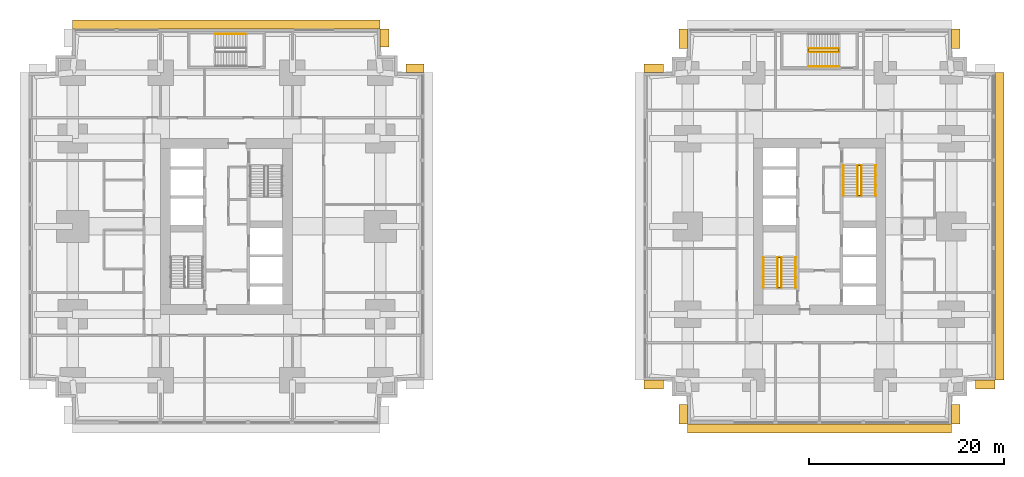
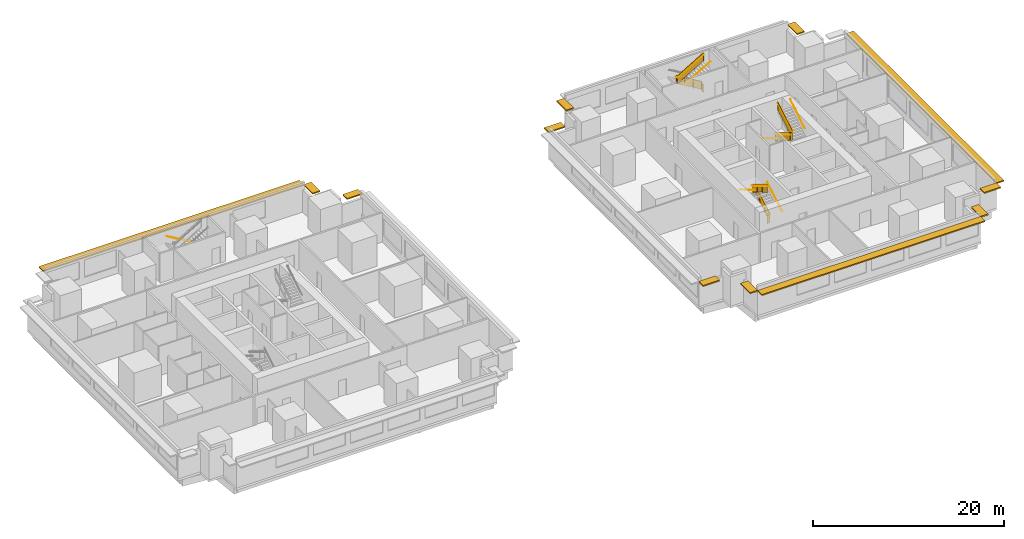
# One storey, part 10 of 11: 15 railings, 12 shading devices.
"""IFC4 building model written with IfcOpenShell, lengths in metres."""

from ifc_helpers import new_model, si_unit, direction, frame, origin, origin_2d, place, context, subcontext, project, spatial, polyline, rectangle, circle, outline, extrude, material, layer, layer_set, type_object, element, save


model = new_model("IFC4")

# Units and contexts
model_context = context("Model", 3, precision=1e-05, world=origin(), true_north=direction((0.0, 1.0)))
body_context = subcontext(model_context, "Body", "Model", "MODEL_VIEW")
ifc_project = project(units=[si_unit("LENGTHUNIT", "METRE"), si_unit("AREAUNIT", "SQUARE_METRE"), si_unit("VOLUMEUNIT", "CUBIC_METRE"), si_unit("PLANEANGLEUNIT", "RADIAN"), si_unit("MASSUNIT", "GRAM", prefix="KILO")], contexts=[model_context])

# Site, building, storey
site_placement = place(None, origin())
site = spatial("IfcSite", under=ifc_project, at=site_placement, CompositionType="ELEMENT")
building_placement = place(site_placement, origin())
building = spatial("IfcBuilding", under=site, at=building_placement, Name="Namib Vertical Campus", CompositionType="ELEMENT")
storey_placement = place(building_placement, frame((0.0, 0.0, 41.0)))
storey = spatial("IfcBuildingStorey", under=building, at=storey_placement, Name="L09", CompositionType="ELEMENT", Elevation=41.0)

# Railings
ifc_material_1 = material(Name="Steel handrail", Category="steel")
railing_type_1 = type_object("IfcRailingType", Name="Handrail 900", PredefinedType="HANDRAIL", material=ifc_material_1)
railing_1_placement = place(storey_placement, frame((78.550048828125, 14.0, 0.166748046875)))
element("IfcRailing", 1, at=railing_1_placement, inside=storey, type_object=railing_type_1, Name="Handrail HR1 B-S1 L09 1", PredefinedType="HANDRAIL", context=body_context, shape_type="SweptSolid", body=[
    extrude(circle(Radius=0.02392578125, at=origin_2d()), frame((0.0, 0.0, 0.8759765625), z_axis=(0.0, 0.859308565015, 0.511457515432), x_axis=(-1.0, 0.0, 0.0)), (0.0, 0.0, 1.0), 3.58447265625),
    extrude(circle(Radius=0.008056640625, at=origin_2d()), frame((0.0, 0.0, 0.8759765625), z_axis=(1.0, 0.0, 0.0), x_axis=(0.0, 0.0, 1.0)), (0.0, 0.0, 1.0), 0.050048828125),
    extrude(circle(Radius=0.008056640625, at=origin_2d()), frame((0.0, 1.026611328125, 1.48681640625), z_axis=(1.0, 0.0, 0.0), x_axis=(0.0, 0.0, 1.0)), (0.0, 0.0, 1.0), 0.050048828125),
    extrude(circle(Radius=0.008056640625, at=origin_2d()), frame((0.0, 2.053466796875, 2.09814453125), z_axis=(1.0, 0.0, 0.0), x_axis=(0.0, 0.0, 1.0)), (0.0, 0.0, 1.0), 0.050048828125),
    extrude(circle(Radius=0.008056640625, at=origin_2d()), frame((0.0, 3.080078125, 2.708984375), z_axis=(1.0, 0.0, 0.0), x_axis=(0.0, 0.0, 1.0)), (0.0, 0.0, 1.0), 0.050048828125),
])
railing_2_placement = place(storey_placement, frame((75.25, 17.080078125, 2.166748046875)))
element("IfcRailing", 2, at=railing_2_placement, inside=storey, type_object=railing_type_1, Name="Handrail HR1 B-S1 L09 2", PredefinedType="HANDRAIL", context=body_context, shape_type="SweptSolid", body=[
    extrude(circle(Radius=0.02392578125, at=origin_2d()), frame((0.0, 0.0, 0.8759765625), z_axis=(0.0, -0.859308565015, 0.511457515432), x_axis=(1.0, 0.0, 0.0)), (0.0, 0.0, 1.0), 3.58447265625),
    extrude(circle(Radius=0.008056640625, at=origin_2d()), frame((0.0, 0.0, 0.8759765625), z_axis=(-1.0, 0.0, 0.0), x_axis=(0.0, 0.0, 1.0)), (0.0, 0.0, 1.0), 0.050048828125),
    extrude(circle(Radius=0.008056640625, at=origin_2d()), frame((0.0, -1.026611328125, 1.48681640625), z_axis=(-1.0, 0.0, 0.0), x_axis=(0.0, 0.0, 1.0)), (0.0, 0.0, 1.0), 0.050048828125),
    extrude(circle(Radius=0.008056640625, at=origin_2d()), frame((0.0, -2.053466796875, 2.09814453125), z_axis=(-1.0, 0.0, 0.0), x_axis=(0.0, 0.0, 1.0)), (0.0, 0.0, 1.0), 0.050048828125),
    extrude(circle(Radius=0.008056640625, at=origin_2d()), frame((0.0, -3.080078125, 2.708984375), z_axis=(-1.0, 0.0, 0.0), x_axis=(0.0, 0.0, 1.0)), (0.0, 0.0, 1.0), 0.050048828125),
])
railing_3_placement = place(storey_placement, frame((77.10009765625, 14.0, 0.166748046875)))
element("IfcRailing", 3, at=railing_3_placement, inside=storey, type_object=railing_type_1, Name="Handrail HR1 B-S1 L09 1 at the well", PredefinedType="HANDRAIL", context=body_context, shape_type="SweptSolid", body=[
    extrude(circle(Radius=0.02392578125, at=origin_2d()), frame((0.0, 0.0, 0.8759765625), z_axis=(0.0, 0.859308565015, 0.511457515432), x_axis=(-1.0, 0.0, 0.0)), (0.0, 0.0, 1.0), 3.58447265625),
    extrude(circle(Radius=0.008056640625, at=origin_2d()), frame((0.0, 0.0, 0.8759765625), z_axis=(-1.0, 0.0, 0.0), x_axis=(0.0, 0.0, 1.0)), (0.0, 0.0, 1.0), 0.0400390625),
    extrude(circle(Radius=0.008056640625, at=origin_2d()), frame((0.0, 1.026611328125, 1.48681640625), z_axis=(-1.0, 0.0, 0.0), x_axis=(0.0, 0.0, 1.0)), (0.0, 0.0, 1.0), 0.0400390625),
    extrude(circle(Radius=0.008056640625, at=origin_2d()), frame((0.0, 2.053466796875, 2.09814453125), z_axis=(-1.0, 0.0, 0.0), x_axis=(0.0, 0.0, 1.0)), (0.0, 0.0, 1.0), 0.0400390625),
    extrude(circle(Radius=0.008056640625, at=origin_2d()), frame((0.0, 3.080078125, 2.708984375), z_axis=(-1.0, 0.0, 0.0), x_axis=(0.0, 0.0, 1.0)), (0.0, 0.0, 1.0), 0.0400390625),
])
railing_4_placement = place(storey_placement, frame((76.699951171875, 17.080078125, 2.166748046875)))
element("IfcRailing", 4, at=railing_4_placement, inside=storey, type_object=railing_type_1, Name="Handrail HR1 B-S1 L09 2 at the well", PredefinedType="HANDRAIL", context=body_context, shape_type="SweptSolid", body=[
    extrude(circle(Radius=0.02392578125, at=origin_2d()), frame((0.0, 0.0, 0.8759765625), z_axis=(0.0, -0.859308565015, 0.511457515432), x_axis=(1.0, 0.0, 0.0)), (0.0, 0.0, 1.0), 3.58447265625),
    extrude(circle(Radius=0.008056640625, at=origin_2d()), frame((0.0, 0.0, 0.8759765625), z_axis=(1.0, 0.0, 0.0), x_axis=(0.0, 0.0, 1.0)), (0.0, 0.0, 1.0), 0.0400390625),
    extrude(circle(Radius=0.008056640625, at=origin_2d()), frame((0.0, -1.026611328125, 1.48681640625), z_axis=(1.0, 0.0, 0.0), x_axis=(0.0, 0.0, 1.0)), (0.0, 0.0, 1.0), 0.0400390625),
    extrude(circle(Radius=0.008056640625, at=origin_2d()), frame((0.0, -2.053466796875, 2.09814453125), z_axis=(1.0, 0.0, 0.0), x_axis=(0.0, 0.0, 1.0)), (0.0, 0.0, 1.0), 0.0400390625),
    extrude(circle(Radius=0.008056640625, at=origin_2d()), frame((0.0, -3.080078125, 2.708984375), z_axis=(1.0, 0.0, 0.0), x_axis=(0.0, 0.0, 1.0)), (0.0, 0.0, 1.0), 0.0400390625),
])
railing_5_placement = place(storey_placement, frame((83.449951171875, 26.5, 0.166748046875)))
element("IfcRailing", 5, at=railing_5_placement, inside=storey, type_object=railing_type_1, Name="Handrail HR1 B-S2 L09 1", PredefinedType="HANDRAIL", context=body_context, shape_type="SweptSolid", body=[
    extrude(circle(Radius=0.02392578125, at=origin_2d()), frame((0.0, 0.0, 0.8759765625), z_axis=(0.0, -0.859308565015, 0.511457515432), x_axis=(1.0, 0.0, 0.0)), (0.0, 0.0, 1.0), 3.58447265625),
    extrude(circle(Radius=0.008056640625, at=origin_2d()), frame((0.0, 0.0, 0.8759765625), z_axis=(-1.0, 0.0, 0.0), x_axis=(0.0, 0.0, 1.0)), (0.0, 0.0, 1.0), 0.050048828125),
    extrude(circle(Radius=0.008056640625, at=origin_2d()), frame((0.0, -1.026611328125, 1.48681640625), z_axis=(-1.0, 0.0, 0.0), x_axis=(0.0, 0.0, 1.0)), (0.0, 0.0, 1.0), 0.050048828125),
    extrude(circle(Radius=0.008056640625, at=origin_2d()), frame((0.0, -2.053466796875, 2.09814453125), z_axis=(-1.0, 0.0, 0.0), x_axis=(0.0, 0.0, 1.0)), (0.0, 0.0, 1.0), 0.050048828125),
    extrude(circle(Radius=0.008056640625, at=origin_2d()), frame((0.0, -3.080078125, 2.708984375), z_axis=(-1.0, 0.0, 0.0), x_axis=(0.0, 0.0, 1.0)), (0.0, 0.0, 1.0), 0.050048828125),
])
railing_6_placement = place(storey_placement, frame((86.75, 23.419921875, 2.166748046875)))
element("IfcRailing", 6, at=railing_6_placement, inside=storey, type_object=railing_type_1, Name="Handrail HR1 B-S2 L09 2", PredefinedType="HANDRAIL", context=body_context, shape_type="SweptSolid", body=[
    extrude(circle(Radius=0.02392578125, at=origin_2d()), frame((0.0, 0.0, 0.8759765625), z_axis=(0.0, 0.859308565015, 0.511457515432), x_axis=(-1.0, 0.0, 0.0)), (0.0, 0.0, 1.0), 3.58447265625),
    extrude(circle(Radius=0.008056640625, at=origin_2d()), frame((0.0, 0.0, 0.8759765625), z_axis=(1.0, 0.0, 0.0), x_axis=(0.0, 0.0, 1.0)), (0.0, 0.0, 1.0), 0.050048828125),
    extrude(circle(Radius=0.008056640625, at=origin_2d()), frame((0.0, 1.026611328125, 1.48681640625), z_axis=(1.0, 0.0, 0.0), x_axis=(0.0, 0.0, 1.0)), (0.0, 0.0, 1.0), 0.050048828125),
    extrude(circle(Radius=0.008056640625, at=origin_2d()), frame((0.0, 2.053466796875, 2.09814453125), z_axis=(1.0, 0.0, 0.0), x_axis=(0.0, 0.0, 1.0)), (0.0, 0.0, 1.0), 0.050048828125),
    extrude(circle(Radius=0.008056640625, at=origin_2d()), frame((0.0, 3.080078125, 2.708984375), z_axis=(1.0, 0.0, 0.0), x_axis=(0.0, 0.0, 1.0)), (0.0, 0.0, 1.0), 0.050048828125),
])
railing_7_placement = place(storey_placement, frame((84.89990234375, 26.5, 0.166748046875)))
element("IfcRailing", 7, at=railing_7_placement, inside=storey, type_object=railing_type_1, Name="Handrail HR1 B-S2 L09 1 at the well", PredefinedType="HANDRAIL", context=body_context, shape_type="SweptSolid", body=[
    extrude(circle(Radius=0.02392578125, at=origin_2d()), frame((0.0, 0.0, 0.8759765625), z_axis=(0.0, -0.859308565015, 0.511457515432), x_axis=(1.0, 0.0, 0.0)), (0.0, 0.0, 1.0), 3.58447265625),
    extrude(circle(Radius=0.008056640625, at=origin_2d()), frame((0.0, 0.0, 0.8759765625), z_axis=(1.0, 0.0, 0.0), x_axis=(0.0, 0.0, 1.0)), (0.0, 0.0, 1.0), 0.0400390625),
    extrude(circle(Radius=0.008056640625, at=origin_2d()), frame((0.0, -1.026611328125, 1.48681640625), z_axis=(1.0, 0.0, 0.0), x_axis=(0.0, 0.0, 1.0)), (0.0, 0.0, 1.0), 0.0400390625),
    extrude(circle(Radius=0.008056640625, at=origin_2d()), frame((0.0, -2.053466796875, 2.09814453125), z_axis=(1.0, 0.0, 0.0), x_axis=(0.0, 0.0, 1.0)), (0.0, 0.0, 1.0), 0.0400390625),
    extrude(circle(Radius=0.008056640625, at=origin_2d()), frame((0.0, -3.080078125, 2.708984375), z_axis=(1.0, 0.0, 0.0), x_axis=(0.0, 0.0, 1.0)), (0.0, 0.0, 1.0), 0.0400390625),
])
railing_8_placement = place(storey_placement, frame((85.300048828125, 23.419921875, 2.166748046875)))
element("IfcRailing", 8, at=railing_8_placement, inside=storey, type_object=railing_type_1, Name="Handrail HR1 B-S2 L09 2 at the well", PredefinedType="HANDRAIL", context=body_context, shape_type="SweptSolid", body=[
    extrude(circle(Radius=0.02392578125, at=origin_2d()), frame((0.0, 0.0, 0.8759765625), z_axis=(0.0, 0.859308565015, 0.511457515432), x_axis=(-1.0, 0.0, 0.0)), (0.0, 0.0, 1.0), 3.58447265625),
    extrude(circle(Radius=0.008056640625, at=origin_2d()), frame((0.0, 0.0, 0.8759765625), z_axis=(-1.0, 0.0, 0.0), x_axis=(0.0, 0.0, 1.0)), (0.0, 0.0, 1.0), 0.0400390625),
    extrude(circle(Radius=0.008056640625, at=origin_2d()), frame((0.0, 1.026611328125, 1.48681640625), z_axis=(-1.0, 0.0, 0.0), x_axis=(0.0, 0.0, 1.0)), (0.0, 0.0, 1.0), 0.0400390625),
    extrude(circle(Radius=0.008056640625, at=origin_2d()), frame((0.0, 2.053466796875, 2.09814453125), z_axis=(-1.0, 0.0, 0.0), x_axis=(0.0, 0.0, 1.0)), (0.0, 0.0, 1.0), 0.0400390625),
    extrude(circle(Radius=0.008056640625, at=origin_2d()), frame((0.0, 3.080078125, 2.708984375), z_axis=(-1.0, 0.0, 0.0), x_axis=(0.0, 0.0, 1.0)), (0.0, 0.0, 1.0), 0.0400390625),
])
railing_9_placement = place(storey_placement, frame((22.199951171875, 39.949951171875, 0.166748046875)))
element("IfcRailing", 9, at=railing_9_placement, inside=storey, type_object=railing_type_1, Name="Handrail HR1 A-S3 L09 1", PredefinedType="HANDRAIL", context=body_context, shape_type="SweptSolid", body=[
    extrude(circle(Radius=0.02392578125, at=origin_2d()), frame((0.0, 0.0, 0.8759765625), z_axis=(-0.859290745958, 0.0, 0.51148745235), x_axis=(0.0, -1.0, 0.0)), (0.0, 0.0, 1.0), 3.584228515625),
    extrude(circle(Radius=0.008056640625, at=origin_2d()), frame((0.0, 0.0, 0.8759765625), z_axis=(0.0, 1.0, 0.0), x_axis=(0.0, 0.0, 1.0)), (0.0, 0.0, 1.0), 0.050048828125),
    extrude(circle(Radius=0.008056640625, at=origin_2d()), frame((-1.026611328125, 0.0, 1.48681640625), z_axis=(0.0, 1.0, 0.0), x_axis=(0.0, 0.0, 1.0)), (0.0, 0.0, 1.0), 0.050048828125),
    extrude(circle(Radius=0.008056640625, at=origin_2d()), frame((-2.05322265625, 0.0, 2.09814453125), z_axis=(0.0, 1.0, 0.0), x_axis=(0.0, 0.0, 1.0)), (0.0, 0.0, 1.0), 0.050048828125),
    extrude(circle(Radius=0.008056640625, at=origin_2d()), frame((-3.079833984375, 0.0, 2.708984375), z_axis=(0.0, 1.0, 0.0), x_axis=(0.0, 0.0, 1.0)), (0.0, 0.0, 1.0), 0.050048828125),
])
railing_10_placement = place(storey_placement, frame((79.8701171875, 36.64990234375, 2.166748046875)))
element("IfcRailing", 10, at=railing_10_placement, inside=storey, type_object=railing_type_1, Name="Handrail HR1 B-S3 L09 2", PredefinedType="HANDRAIL", context=body_context, shape_type="SweptSolid", body=[
    extrude(circle(Radius=0.02392578125, at=origin_2d()), frame((0.0, 0.0, 0.8759765625), z_axis=(0.859290745958, 0.0, 0.51148745235), x_axis=(0.0, 1.0, 0.0)), (0.0, 0.0, 1.0), 3.584228515625),
    extrude(circle(Radius=0.008056640625, at=origin_2d()), frame((0.0, 0.0, 0.8759765625), z_axis=(0.0, -1.0, 0.0), x_axis=(0.0, 0.0, 1.0)), (0.0, 0.0, 1.0), 0.050048828125),
    extrude(circle(Radius=0.008056640625, at=origin_2d()), frame((1.026611328125, 0.0, 1.48681640625), z_axis=(0.0, -1.0, 0.0), x_axis=(0.0, 0.0, 1.0)), (0.0, 0.0, 1.0), 0.050048828125),
    extrude(circle(Radius=0.008056640625, at=origin_2d()), frame((2.05322265625, 0.0, 2.09814453125), z_axis=(0.0, -1.0, 0.0), x_axis=(0.0, 0.0, 1.0)), (0.0, 0.0, 1.0), 0.050048828125),
    extrude(circle(Radius=0.008056640625, at=origin_2d()), frame((3.079833984375, 0.0, 2.708984375), z_axis=(0.0, -1.0, 0.0), x_axis=(0.0, 0.0, 1.0)), (0.0, 0.0, 1.0), 0.050048828125),
])
railing_11_placement = place(storey_placement, frame((82.949951171875, 38.5, 0.166748046875)))
element("IfcRailing", 11, at=railing_11_placement, inside=storey, type_object=railing_type_1, Name="Handrail HR1 B-S3 L09 1 at the well", PredefinedType="HANDRAIL", context=body_context, shape_type="SweptSolid", body=[
    extrude(circle(Radius=0.02392578125, at=origin_2d()), frame((0.0, 0.0, 0.8759765625), z_axis=(-0.859290745958, 0.0, 0.51148745235), x_axis=(0.0, -1.0, 0.0)), (0.0, 0.0, 1.0), 3.584228515625),
    extrude(circle(Radius=0.008056640625, at=origin_2d()), frame((0.0, 0.0, 0.8759765625), z_axis=(0.0, -1.0, 0.0), x_axis=(0.0, 0.0, 1.0)), (0.0, 0.0, 1.0), 0.0400390625),
    extrude(circle(Radius=0.008056640625, at=origin_2d()), frame((-1.026611328125, 0.0, 1.48681640625), z_axis=(0.0, -1.0, 0.0), x_axis=(0.0, 0.0, 1.0)), (0.0, 0.0, 1.0), 0.0400390625),
    extrude(circle(Radius=0.008056640625, at=origin_2d()), frame((-2.05322265625, 0.0, 2.09814453125), z_axis=(0.0, -1.0, 0.0), x_axis=(0.0, 0.0, 1.0)), (0.0, 0.0, 1.0), 0.0400390625),
    extrude(circle(Radius=0.008056640625, at=origin_2d()), frame((-3.079833984375, 0.0, 2.708984375), z_axis=(0.0, -1.0, 0.0), x_axis=(0.0, 0.0, 1.0)), (0.0, 0.0, 1.0), 0.0400390625),
])
railing_12_placement = place(storey_placement, frame((79.8701171875, 38.10009765625, 2.166748046875)))
element("IfcRailing", 12, at=railing_12_placement, inside=storey, type_object=railing_type_1, Name="Handrail HR1 B-S3 L09 2 at the well", PredefinedType="HANDRAIL", context=body_context, shape_type="SweptSolid", body=[
    extrude(circle(Radius=0.02392578125, at=origin_2d()), frame((0.0, 0.0, 0.8759765625), z_axis=(0.859290745958, 0.0, 0.51148745235), x_axis=(0.0, 1.0, 0.0)), (0.0, 0.0, 1.0), 3.584228515625),
    extrude(circle(Radius=0.008056640625, at=origin_2d()), frame((0.0, 0.0, 0.8759765625), z_axis=(0.0, 1.0, 0.0), x_axis=(0.0, 0.0, 1.0)), (0.0, 0.0, 1.0), 0.0400390625),
    extrude(circle(Radius=0.008056640625, at=origin_2d()), frame((1.026611328125, 0.0, 1.48681640625), z_axis=(0.0, 1.0, 0.0), x_axis=(0.0, 0.0, 1.0)), (0.0, 0.0, 1.0), 0.0400390625),
    extrude(circle(Radius=0.008056640625, at=origin_2d()), frame((2.05322265625, 0.0, 2.09814453125), z_axis=(0.0, 1.0, 0.0), x_axis=(0.0, 0.0, 1.0)), (0.0, 0.0, 1.0), 0.0400390625),
    extrude(circle(Radius=0.008056640625, at=origin_2d()), frame((3.079833984375, 0.0, 2.708984375), z_axis=(0.0, 1.0, 0.0), x_axis=(0.0, 0.0, 1.0)), (0.0, 0.0, 1.0), 0.0400390625),
])
ifc_material_2 = material(Name="Steel balustrade", Category="steel")
railing_type_2 = type_object("IfcRailingType", Name="Stair guard 1100", PredefinedType="GUARDRAIL", material=ifc_material_2)
railing_13_placement = place(storey_placement, frame((76.75, 14.0, 0.0)))
element("IfcRailing", 13, at=railing_13_placement, inside=storey, type_object=railing_type_2, Name="Stair guard GR1 B-S1 L09", PredefinedType="GUARDRAIL", context=body_context, shape_type="SweptSolid", body=[
    extrude(circle(Radius=0.02392578125, at=origin_2d()), frame((0.0, 0.0, 1.076171875), z_axis=(1.0, 0.0, 0.0), x_axis=(0.0, 1.0, 0.0)), (0.0, 0.0, 1.0), 0.300048828125),
    extrude(outline(polyline([(0.02099609375, 0.050048828125), (0.279052734375, 0.050048828125), (0.279052734375, 1.052001953125), (0.02099609375, 1.052001953125), (0.02099609375, 0.050048828125)])), frame((0.0, 0.010009765625, 0.0), z_axis=(0.0, -1.0, 0.0), x_axis=(1.0, 0.0, 0.0)), (0.0, 0.0, 1.0), 0.02001953125),
    extrude(circle(Radius=0.02392578125, at=origin_2d()), frame((0.300048828125, 0.0, 1.076171875), z_axis=(0.0, 0.0, 1.0), x_axis=(1.0, 0.0, 0.0)), (0.0, 0.0, 1.0), 0.166748046875),
    extrude(circle(Radius=0.02392578125, at=origin_2d()), frame((0.300048828125, 0.0, 1.24267578125), z_axis=(0.0, 0.859308565015, 0.511457515432), x_axis=(-1.0, 0.0, 0.0)), (0.0, 0.0, 1.0), 3.58447265625),
    extrude(outline(polyline([(0.02099609375, 0.0625), (3.05908203125, 1.870849609375), (3.05908203125, 2.872802734375), (0.02099609375, 1.064453125), (0.02099609375, 0.0625)])), frame((0.2900390625, 0.0, 0.166748046875), z_axis=(1.0, 0.0, 0.0), x_axis=(0.0, 1.0, 0.0)), (0.0, 0.0, 1.0), 0.02001953125),
    extrude(circle(Radius=0.02392578125, at=origin_2d()), frame((0.300048828125, 3.080078125, 3.076171875), z_axis=(-1.0, 0.0, 0.0), x_axis=(0.0, -1.0, 0.0)), (0.0, 0.0, 1.0), 0.300048828125),
    extrude(outline(polyline([(0.02099609375, 0.050048828125), (0.279052734375, 0.050048828125), (0.279052734375, 1.052001953125), (0.02099609375, 1.052001953125), (0.02099609375, 0.050048828125)])), frame((0.300048828125, 3.070068359375, 2.0), z_axis=(0.0, 1.0, 0.0), x_axis=(-1.0, 0.0, 0.0)), (0.0, 0.0, 1.0), 0.02001953125),
    extrude(circle(Radius=0.02392578125, at=origin_2d()), frame((0.0, 3.080078125, 3.076171875), z_axis=(0.0, 0.0, 1.0), x_axis=(1.0, 0.0, 0.0)), (0.0, 0.0, 1.0), 0.166748046875),
    extrude(circle(Radius=0.02392578125, at=origin_2d()), frame((0.0, 3.080078125, 3.24267578125), z_axis=(0.0, -0.859308565015, 0.511457515432), x_axis=(1.0, 0.0, 0.0)), (0.0, 0.0, 1.0), 3.58447265625),
    extrude(outline(polyline([(0.02099609375, 0.0625), (3.05908203125, 1.870849609375), (3.05908203125, 2.872802734375), (0.02099609375, 1.064453125), (0.02099609375, 0.0625)])), frame((0.010009765625, 3.080078125, 2.166748046875), z_axis=(-1.0, 0.0, 0.0), x_axis=(0.0, -1.0, 0.0)), (0.0, 0.0, 1.0), 0.02001953125),
    extrude(circle(Radius=0.02392578125, at=origin_2d()), frame((0.0, 0.0, 5.076171875), z_axis=(0.0, -1.0, 0.0), x_axis=(1.0, 0.0, 0.0)), (0.0, 0.0, 1.0), 0.050048828125),
    extrude(outline(polyline([(0.02099609375, 0.050048828125), (0.029052734375, 0.050048828125), (0.029052734375, 1.052001953125), (0.02099609375, 1.052001953125), (0.02099609375, 0.050048828125)])), frame((0.010009765625, 0.0, 4.0), z_axis=(-1.0, 0.0, 0.0), x_axis=(0.0, -1.0, 0.0)), (0.0, 0.0, 1.0), 0.02001953125),
    extrude(circle(Radius=0.02099609375, at=origin_2d()), origin(), (0.0, 0.0, 1.0), 1.052001953125),
    extrude(circle(Radius=0.02099609375, at=origin_2d()), frame((0.300048828125, 0.0, 0.166748046875)), (0.0, 0.0, 1.0), 1.052001953125),
    extrude(circle(Radius=0.02099609375, at=origin_2d()), frame((0.300048828125, 1.026611328125, 0.666748046875)), (0.0, 0.0, 1.0), 1.1630859375),
    extrude(circle(Radius=0.02099609375, at=origin_2d()), frame((0.300048828125, 2.053466796875, 1.33349609375)), (0.0, 0.0, 1.0), 1.107421875),
    extrude(circle(Radius=0.02099609375, at=origin_2d()), frame((0.300048828125, 3.080078125, 2.0)), (0.0, 0.0, 1.0), 1.052001953125),
    extrude(circle(Radius=0.02099609375, at=origin_2d()), frame((0.0, 3.080078125, 2.166748046875)), (0.0, 0.0, 1.0), 1.052001953125),
    extrude(circle(Radius=0.02099609375, at=origin_2d()), frame((0.0, 2.053466796875, 2.666748046875)), (0.0, 0.0, 1.0), 1.1630859375),
    extrude(circle(Radius=0.02099609375, at=origin_2d()), frame((0.0, 1.026611328125, 3.33349609375)), (0.0, 0.0, 1.0), 1.107421875),
    extrude(circle(Radius=0.02099609375, at=origin_2d()), frame((0.0, 0.0, 4.0)), (0.0, 0.0, 1.0), 1.052001953125),
    extrude(circle(Radius=0.02099609375, at=origin_2d()), frame((0.0, -0.050048828125, 4.0)), (0.0, 0.0, 1.0), 1.052001953125),
])
railing_14_placement = place(storey_placement, frame((85.25, 26.5, 0.0)))
element("IfcRailing", 14, at=railing_14_placement, inside=storey, type_object=railing_type_2, Name="Stair guard GR1 B-S2 L09", PredefinedType="GUARDRAIL", context=body_context, shape_type="SweptSolid", body=[
    extrude(circle(Radius=0.02392578125, at=origin_2d()), frame((0.0, 0.0, 1.076171875), z_axis=(-1.0, 0.0, 0.0), x_axis=(0.0, -1.0, 0.0)), (0.0, 0.0, 1.0), 0.300048828125),
    extrude(outline(polyline([(0.02099609375, 0.050048828125), (0.279052734375, 0.050048828125), (0.279052734375, 1.052001953125), (0.02099609375, 1.052001953125), (0.02099609375, 0.050048828125)])), frame((0.0, -0.010009765625, 0.0), z_axis=(0.0, 1.0, 0.0), x_axis=(-1.0, 0.0, 0.0)), (0.0, 0.0, 1.0), 0.02001953125),
    extrude(circle(Radius=0.02392578125, at=origin_2d()), frame((-0.300048828125, 0.0, 1.076171875), z_axis=(0.0, 0.0, 1.0), x_axis=(1.0, 0.0, 0.0)), (0.0, 0.0, 1.0), 0.166748046875),
    extrude(circle(Radius=0.02392578125, at=origin_2d()), frame((-0.300048828125, 0.0, 1.24267578125), z_axis=(0.0, -0.859308565015, 0.511457515432), x_axis=(1.0, 0.0, 0.0)), (0.0, 0.0, 1.0), 3.58447265625),
    extrude(outline(polyline([(0.02099609375, 0.0625), (3.05908203125, 1.870849609375), (3.05908203125, 2.872802734375), (0.02099609375, 1.064453125), (0.02099609375, 0.0625)])), frame((-0.2900390625, 0.0, 0.166748046875), z_axis=(-1.0, 0.0, 0.0), x_axis=(0.0, -1.0, 0.0)), (0.0, 0.0, 1.0), 0.02001953125),
    extrude(circle(Radius=0.02392578125, at=origin_2d()), frame((-0.300048828125, -3.080078125, 3.076171875), z_axis=(1.0, 0.0, 0.0), x_axis=(0.0, 1.0, 0.0)), (0.0, 0.0, 1.0), 0.300048828125),
    extrude(outline(polyline([(0.02099609375, 0.050048828125), (0.279052734375, 0.050048828125), (0.279052734375, 1.052001953125), (0.02099609375, 1.052001953125), (0.02099609375, 0.050048828125)])), frame((-0.300048828125, -3.070068359375, 2.0), z_axis=(0.0, -1.0, 0.0), x_axis=(1.0, 0.0, 0.0)), (0.0, 0.0, 1.0), 0.02001953125),
    extrude(circle(Radius=0.02392578125, at=origin_2d()), frame((0.0, -3.080078125, 3.076171875), z_axis=(0.0, 0.0, 1.0), x_axis=(1.0, 0.0, 0.0)), (0.0, 0.0, 1.0), 0.166748046875),
    extrude(circle(Radius=0.02392578125, at=origin_2d()), frame((0.0, -3.080078125, 3.24267578125), z_axis=(0.0, 0.859308565015, 0.511457515432), x_axis=(-1.0, 0.0, 0.0)), (0.0, 0.0, 1.0), 3.58447265625),
    extrude(outline(polyline([(0.02099609375, 0.0625), (3.05908203125, 1.870849609375), (3.05908203125, 2.872802734375), (0.02099609375, 1.064453125), (0.02099609375, 0.0625)])), frame((-0.010009765625, -3.080078125, 2.166748046875), z_axis=(1.0, 0.0, 0.0), x_axis=(0.0, 1.0, 0.0)), (0.0, 0.0, 1.0), 0.02001953125),
    extrude(circle(Radius=0.02392578125, at=origin_2d()), frame((0.0, 0.0, 5.076171875), z_axis=(0.0, 1.0, 0.0), x_axis=(-1.0, 0.0, 0.0)), (0.0, 0.0, 1.0), 0.050048828125),
    extrude(outline(polyline([(0.02099609375, 0.050048828125), (0.029052734375, 0.050048828125), (0.029052734375, 1.052001953125), (0.02099609375, 1.052001953125), (0.02099609375, 0.050048828125)])), frame((-0.010009765625, 0.0, 4.0), z_axis=(1.0, 0.0, 0.0), x_axis=(0.0, 1.0, 0.0)), (0.0, 0.0, 1.0), 0.02001953125),
    extrude(circle(Radius=0.02099609375, at=origin_2d()), origin(), (0.0, 0.0, 1.0), 1.052001953125),
    extrude(circle(Radius=0.02099609375, at=origin_2d()), frame((-0.300048828125, 0.0, 0.166748046875)), (0.0, 0.0, 1.0), 1.052001953125),
    extrude(circle(Radius=0.02099609375, at=origin_2d()), frame((-0.300048828125, -1.026611328125, 0.666748046875)), (0.0, 0.0, 1.0), 1.1630859375),
    extrude(circle(Radius=0.02099609375, at=origin_2d()), frame((-0.300048828125, -2.053466796875, 1.33349609375)), (0.0, 0.0, 1.0), 1.107421875),
    extrude(circle(Radius=0.02099609375, at=origin_2d()), frame((-0.300048828125, -3.080078125, 2.0)), (0.0, 0.0, 1.0), 1.052001953125),
    extrude(circle(Radius=0.02099609375, at=origin_2d()), frame((0.0, -3.080078125, 2.166748046875)), (0.0, 0.0, 1.0), 1.052001953125),
    extrude(circle(Radius=0.02099609375, at=origin_2d()), frame((0.0, -2.053466796875, 2.666748046875)), (0.0, 0.0, 1.0), 1.1630859375),
    extrude(circle(Radius=0.02099609375, at=origin_2d()), frame((0.0, -1.026611328125, 3.33349609375)), (0.0, 0.0, 1.0), 1.107421875),
    extrude(circle(Radius=0.02099609375, at=origin_2d()), frame((0.0, 0.0, 4.0)), (0.0, 0.0, 1.0), 1.052001953125),
    extrude(circle(Radius=0.02099609375, at=origin_2d()), frame((0.0, 0.050048828125, 4.0)), (0.0, 0.0, 1.0), 1.052001953125),
])
railing_15_placement = place(storey_placement, frame((82.949951171875, 38.14990234375, 0.0)))
element("IfcRailing", 15, at=railing_15_placement, inside=storey, type_object=railing_type_2, Name="Stair guard GR1 B-S3 L09", PredefinedType="GUARDRAIL", context=body_context, shape_type="SweptSolid", body=[
    extrude(circle(Radius=0.02392578125, at=origin_2d()), frame((0.0, 0.0, 1.076171875), z_axis=(0.0, 1.0, 0.0), x_axis=(-1.0, 0.0, 0.0)), (0.0, 0.0, 1.0), 0.300048828125),
    extrude(outline(polyline([(0.02099609375, 0.050048828125), (0.279052734375, 0.050048828125), (0.279052734375, 1.052001953125), (0.02099609375, 1.052001953125), (0.02099609375, 0.050048828125)])), frame((-0.010009765625, 0.0, 0.0), z_axis=(1.0, 0.0, 0.0), x_axis=(0.0, 1.0, 0.0)), (0.0, 0.0, 1.0), 0.02001953125),
    extrude(circle(Radius=0.02392578125, at=origin_2d()), frame((0.0, 0.300048828125, 1.076171875), z_axis=(0.0, 0.0, 1.0), x_axis=(1.0, 0.0, 0.0)), (0.0, 0.0, 1.0), 0.166748046875),
    extrude(circle(Radius=0.02392578125, at=origin_2d()), frame((0.0, 0.300048828125, 1.24267578125), z_axis=(-0.859290745958, 0.0, 0.51148745235), x_axis=(0.0, -1.0, 0.0)), (0.0, 0.0, 1.0), 3.584228515625),
    extrude(outline(polyline([(0.02099609375, 0.0625), (3.058837890625, 1.870849609375), (3.058837890625, 2.872802734375), (0.02099609375, 1.064453125), (0.02099609375, 0.0625)])), frame((0.0, 0.2900390625, 0.166748046875), z_axis=(0.0, 1.0, 0.0), x_axis=(-1.0, 0.0, 0.0)), (0.0, 0.0, 1.0), 0.02001953125),
    extrude(circle(Radius=0.02392578125, at=origin_2d()), frame((-3.079833984375, 0.300048828125, 3.076171875), z_axis=(0.0, -1.0, 0.0), x_axis=(1.0, 0.0, 0.0)), (0.0, 0.0, 1.0), 0.300048828125),
    extrude(outline(polyline([(0.02099609375, 0.050048828125), (0.279052734375, 0.050048828125), (0.279052734375, 1.052001953125), (0.02099609375, 1.052001953125), (0.02099609375, 0.050048828125)])), frame((-3.06982421875, 0.300048828125, 2.0), z_axis=(-1.0, 0.0, 0.0), x_axis=(0.0, -1.0, 0.0)), (0.0, 0.0, 1.0), 0.02001953125),
    extrude(circle(Radius=0.02392578125, at=origin_2d()), frame((-3.079833984375, 0.0, 3.076171875), z_axis=(0.0, 0.0, 1.0), x_axis=(1.0, 0.0, 0.0)), (0.0, 0.0, 1.0), 0.166748046875),
    extrude(circle(Radius=0.02392578125, at=origin_2d()), frame((-3.079833984375, 0.0, 3.24267578125), z_axis=(0.859290745958, 0.0, 0.51148745235), x_axis=(0.0, 1.0, 0.0)), (0.0, 0.0, 1.0), 3.584228515625),
    extrude(outline(polyline([(0.02099609375, 0.0625), (3.058837890625, 1.870849609375), (3.058837890625, 2.872802734375), (0.02099609375, 1.064453125), (0.02099609375, 0.0625)])), frame((-3.079833984375, 0.010009765625, 2.166748046875), z_axis=(0.0, -1.0, 0.0), x_axis=(1.0, 0.0, 0.0)), (0.0, 0.0, 1.0), 0.02001953125),
    extrude(circle(Radius=0.02392578125, at=origin_2d()), frame((0.0, 0.0, 5.076171875), z_axis=(1.0, 0.0, 0.0), x_axis=(0.0, 1.0, 0.0)), (0.0, 0.0, 1.0), 0.050048828125),
    extrude(outline(polyline([(0.02099609375, 0.050048828125), (0.029052734375, 0.050048828125), (0.029052734375, 1.052001953125), (0.02099609375, 1.052001953125), (0.02099609375, 0.050048828125)])), frame((0.0, 0.010009765625, 4.0), z_axis=(0.0, -1.0, 0.0), x_axis=(1.0, 0.0, 0.0)), (0.0, 0.0, 1.0), 0.02001953125),
    extrude(circle(Radius=0.02099609375, at=origin_2d()), origin(), (0.0, 0.0, 1.0), 1.052001953125),
    extrude(circle(Radius=0.02099609375, at=origin_2d()), frame((0.0, 0.300048828125, 0.166748046875)), (0.0, 0.0, 1.0), 1.052001953125),
    extrude(circle(Radius=0.02099609375, at=origin_2d()), frame((-1.026611328125, 0.300048828125, 0.666748046875)), (0.0, 0.0, 1.0), 1.1630859375),
    extrude(circle(Radius=0.02099609375, at=origin_2d()), frame((-2.05322265625, 0.300048828125, 1.33349609375)), (0.0, 0.0, 1.0), 1.107421875),
    extrude(circle(Radius=0.02099609375, at=origin_2d()), frame((-3.079833984375, 0.300048828125, 2.0)), (0.0, 0.0, 1.0), 1.052001953125),
    extrude(circle(Radius=0.02099609375, at=origin_2d()), frame((-3.079833984375, 0.0, 2.166748046875)), (0.0, 0.0, 1.0), 1.052001953125),
    extrude(circle(Radius=0.02099609375, at=origin_2d()), frame((-2.05322265625, 0.0, 2.666748046875)), (0.0, 0.0, 1.0), 1.1630859375),
    extrude(circle(Radius=0.02099609375, at=origin_2d()), frame((-1.026611328125, 0.0, 3.33349609375)), (0.0, 0.0, 1.0), 1.107421875),
    extrude(circle(Radius=0.02099609375, at=origin_2d()), frame((0.0, 0.0, 4.0)), (0.0, 0.0, 1.0), 1.052001953125),
    extrude(circle(Radius=0.02099609375, at=origin_2d()), frame((0.050048828125, 0.0, 4.0)), (0.0, 0.0, 1.0), 1.052001953125),
])

# Shading devices
ifc_material_3 = material(Name="Concrete C40/50 precast", Category="concrete")
ifc_layer = layer(ifc_material_3, 0.14990234375)
ifc_layer_set = layer_set([ifc_layer], Name="Concrete C40/50 precast")
shading_device_type = type_object("IfcShadingDeviceType", Name="Sunshade hood 900", PredefinedType="SHUTTER", material=ifc_layer_set)
for number, where, z_axis, x_axis, name in (
    (16, (39.574951171875, 36.449951171875, 3.10009765625), (0.0, 0.0, 1.0), (-1.0, 0.0, 0.0), "Sunshade SH1 L09 7"),
    (17, (36.449951171875, 39.574951171875, 3.10009765625), (0.0, 0.0, 1.0), (0.0, 1.0, 0.0), "Sunshade SH1 L09 10"),
):
    element("IfcShadingDevice", number, at=place(storey_placement, frame(where, z_axis=z_axis, x_axis=x_axis)), inside=storey, type_object=shading_device_type, Name=name, PredefinedType="SHUTTER", context=body_context, shape_type="SweptSolid", body=[
        extrude(rectangle(XDim=1.85009765625, YDim=0.89990234375, at=origin_2d()), origin(), (0.0, 0.0, 1.0), 0.14990234375),
    ])
shading_device_1_placement = place(storey_placement, frame((20.25, 40.949951171875, 3.10009765625), z_axis=(0.0, 0.0, 1.0), x_axis=(-1.0, 0.0, 0.0)))
element("IfcShadingDevice", 18, at=shading_device_1_placement, inside=storey, type_object=shading_device_type, Name="Sunshade SH1 L09 11", PredefinedType="SHUTTER", context=body_context, shape_type="SweptSolid", body=[
    extrude(rectangle(XDim=31.5, YDim=0.89990234375, at=origin_2d()), origin(), (0.0, 0.0, 1.0), 0.14990234375),
])
shading_device_2_placement = place(storey_placement, frame((81.0, -0.449951171875, 3.10009765625), z_axis=(0.0, 0.0, 1.0), x_axis=(1.0, 0.0, 0.0)))
element("IfcShadingDevice", 19, at=shading_device_2_placement, inside=storey, type_object=shading_device_type, Name="Sunshade SH1 L09 1", PredefinedType="SHUTTER", context=body_context, shape_type="SweptSolid", body=[
    extrude(rectangle(XDim=27.0, YDim=0.89990234375, at=origin_2d()), origin(), (0.0, 0.0, 1.0), 0.14990234375),
])
for number, where, z_axis, x_axis, name in (
    (20, (94.949951171875, 1.0, 3.10009765625), (0.0, 0.0, 1.0), (0.0, 1.0, 0.0), "Sunshade SH1 L09 2"),
    (21, (98.0, 4.050048828125, 3.10009765625), (0.0, 0.0, 1.0), (1.0, 0.0, 0.0), "Sunshade SH1 L09 5"),
):
    element("IfcShadingDevice", number, at=place(storey_placement, frame(where, z_axis=z_axis, x_axis=x_axis)), inside=storey, type_object=shading_device_type, Name=name, PredefinedType="SHUTTER", context=body_context, shape_type="SweptSolid", body=[
        extrude(rectangle(XDim=2.0, YDim=0.89990234375, at=origin_2d()), origin(), (0.0, 0.0, 1.0), 0.14990234375),
    ])
shading_device_3_placement = place(storey_placement, frame((99.449951171875, 20.25, 3.10009765625), z_axis=(0.0, 0.0, 1.0), x_axis=(0.0, 1.0, 0.0)))
element("IfcShadingDevice", 22, at=shading_device_3_placement, inside=storey, type_object=shading_device_type, Name="Sunshade SH1 L09 6", PredefinedType="SHUTTER", context=body_context, shape_type="SweptSolid", body=[
    extrude(rectangle(XDim=31.5, YDim=0.89990234375, at=origin_2d()), origin(), (0.0, 0.0, 1.0), 0.14990234375),
])
for number, where, z_axis, x_axis, name in (
    (23, (94.949951171875, 39.5, 3.10009765625), (0.0, 0.0, 1.0), (0.0, 1.0, 0.0), "Sunshade SH1 L09 10"),
    (24, (67.050048828125, 39.5, 3.10009765625), (0.0, 0.0, 1.0), (0.0, -1.0, 0.0), "Sunshade SH1 L09 12"),
    (25, (64.0, 36.449951171875, 3.10009765625), (0.0, 0.0, 1.0), (-1.0, 0.0, 0.0), "Sunshade SH1 L09 15"),
    (26, (64.0, 4.050048828125, 3.10009765625), (0.0, 0.0, 1.0), (1.0, 0.0, 0.0), "Sunshade SH1 L09 17"),
    (27, (67.050048828125, 1.0, 3.10009765625), (0.0, 0.0, 1.0), (0.0, -1.0, 0.0), "Sunshade SH1 L09 20"),
):
    element("IfcShadingDevice", number, at=place(storey_placement, frame(where, z_axis=z_axis, x_axis=x_axis)), inside=storey, type_object=shading_device_type, Name=name, PredefinedType="SHUTTER", context=body_context, shape_type="SweptSolid", body=[
        extrude(rectangle(XDim=2.0, YDim=0.89990234375, at=origin_2d()), origin(), (0.0, 0.0, 1.0), 0.14990234375),
    ])

save(model, "model.ifc")
